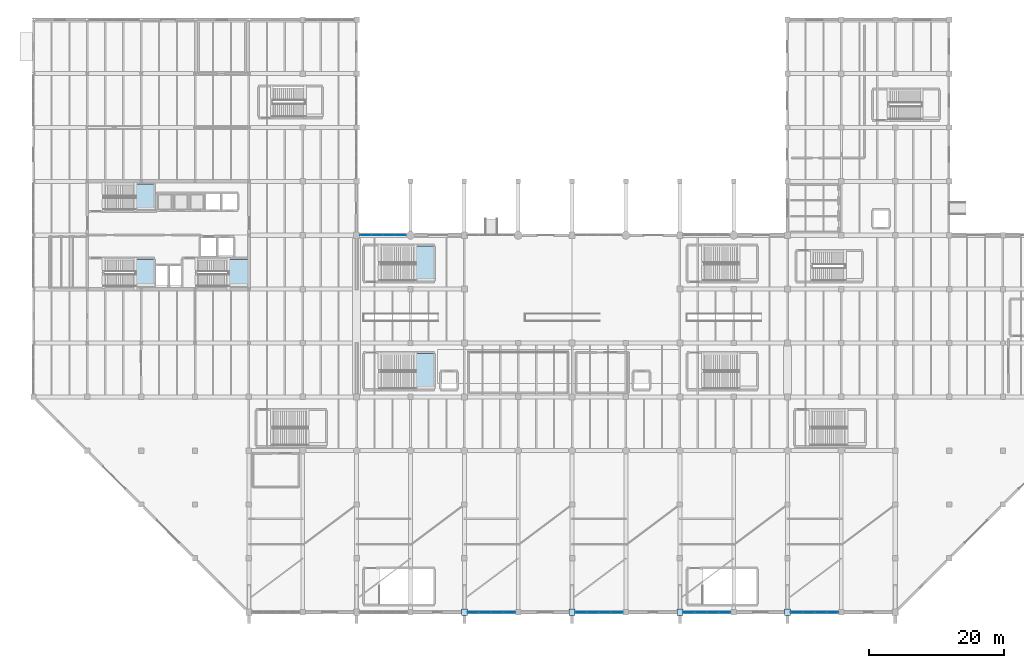
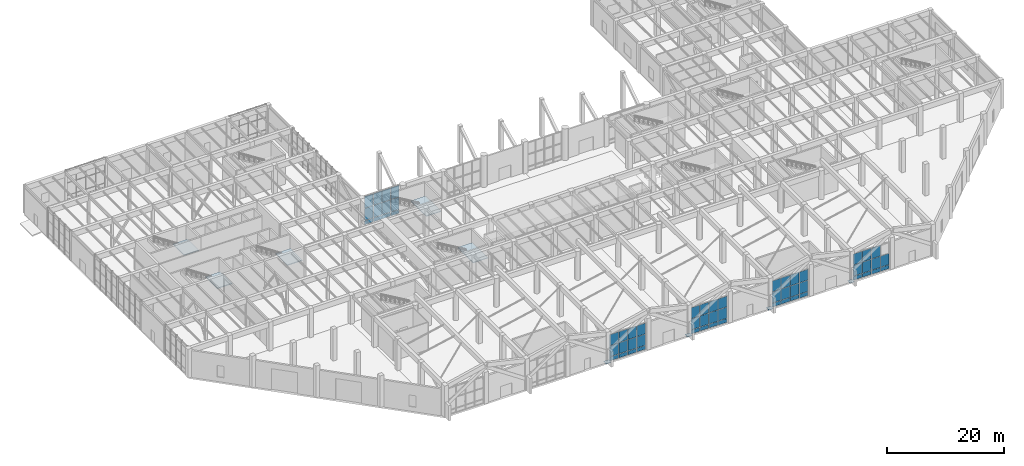
# One storey, part 27 of 51: 63 plates, 5 slabs, 10 elements without a shape of their own.
"""IFC4 building model written with IfcOpenShell, lengths in metres."""

from ifc_helpers import new_model, si_unit, direction, frame, origin, origin_2d, place, context, subcontext, project, spatial, polyline, rectangle, outline, extrude, material, layer, layer_set, type_object, element, aggregate, save


model = new_model("IFC4")

# Units and contexts
model_context = context("Model", 3, precision=1e-05, world=origin(), true_north=direction((0.0, 1.0)))
body_context = subcontext(model_context, "Body", "Model", "MODEL_VIEW")
ifc_project = project(units=[si_unit("LENGTHUNIT", "METRE"), si_unit("AREAUNIT", "SQUARE_METRE"), si_unit("VOLUMEUNIT", "CUBIC_METRE"), si_unit("PLANEANGLEUNIT", "RADIAN"), si_unit("MASSUNIT", "GRAM", prefix="KILO")], contexts=[model_context])

# Site, building, storey
site_placement = place(None, origin())
site = spatial("IfcSite", under=ifc_project, at=site_placement, CompositionType="ELEMENT")
building_placement = place(site_placement, origin())
building = spatial("IfcBuilding", under=site, at=building_placement, Name="Varnela Railside Interchange", CompositionType="ELEMENT")
storey_placement = place(building_placement, origin())
storey = spatial("IfcBuildingStorey", under=building, at=storey_placement, Name="L00", CompositionType="ELEMENT", Elevation=0.0)

# Curtain wall, plates
ifc_material_1 = material(Name="Aluminium 6063-T6", Category="aluminium")
ifc_layer_1 = layer(ifc_material_1, 0.035888671875)
ifc_layer_set_1 = layer_set([ifc_layer_1], Name="Aluminium 6063-T6")
curtain_wall_type = type_object("IfcCurtainWallType", Name="Arrival Forecourt Portal Curtain Wall CW-04", PredefinedType="USERDEFINED", material=ifc_layer_set_1)
curtain_wall_1_placement = place(storey_placement, origin())
curtain_wall_1 = element("IfcCurtainWall", 1, at=curtain_wall_1_placement, inside=storey, type_object=curtain_wall_type, Name="Curtain Wall CW-04 (L00) (CW-006)", ObjectType="CURTAIN WALL", PredefinedType="USERDEFINED")
ifc_material_2 = material(Name="Glass laminated double", Category="glass")
ifc_layer_2 = layer(ifc_material_2, 0.02001953125)
ifc_layer_set_2 = layer_set([ifc_layer_2], Name="Glass laminated double")
plate_type_1 = type_object("IfcPlateType", Name="Low-E Vision Glazing Panel GL-01", PredefinedType="CURTAIN_PANEL", material=ifc_layer_set_2)
plate_1_placement = place(storey_placement, frame((53.33740234375, 62.0, 0.074951171875), z_axis=(0.0, 0.0, 1.0), x_axis=(1.0, 0.0, 0.0)))
plate_1 = element("IfcPlate", 2, at=plate_1_placement, type_object=plate_type_1, Name="CW-04 panel 1.1", PredefinedType="CURTAIN_PANEL", context=body_context, shape_type="SweptSolid", body=[
    extrude(rectangle(XDim=1.625, YDim=0.02001953125, at=origin_2d()), origin(), (0.0, 0.0, 1.0), 0.78759765625),
])
plate_2_placement = place(storey_placement, frame((53.33740234375, 62.0, 0.9375), z_axis=(0.0, 0.0, 1.0), x_axis=(1.0, 0.0, 0.0)))
plate_2 = element("IfcPlate", 3, at=plate_2_placement, type_object=plate_type_1, Name="CW-04 panel 1.2", PredefinedType="CURTAIN_PANEL", context=body_context, shape_type="SweptSolid", body=[
    extrude(rectangle(XDim=1.625, YDim=0.02001953125, at=origin_2d()), origin(), (0.0, 0.0, 1.0), 2.5166015625),
])
plate_3_placement = place(storey_placement, frame((53.33740234375, 62.0, 3.529052734375), z_axis=(0.0, 0.0, 1.0), x_axis=(1.0, 0.0, 0.0)))
plate_3 = element("IfcPlate", 4, at=plate_3_placement, type_object=plate_type_1, Name="CW-04 panel 1.3", PredefinedType="CURTAIN_PANEL", context=body_context, shape_type="SweptSolid", body=[
    extrude(rectangle(XDim=1.625, YDim=0.02001953125, at=origin_2d()), origin(), (0.0, 0.0, 1.0), 2.416015625),
])
plate_4_placement = place(storey_placement, frame((55.05615234375, 62.0, 0.074951171875), z_axis=(0.0, 0.0, 1.0), x_axis=(1.0, 0.0, 0.0)))
plate_4 = element("IfcPlate", 5, at=plate_4_placement, type_object=plate_type_1, Name="CW-04 panel 2.1", PredefinedType="CURTAIN_PANEL", context=body_context, shape_type="SweptSolid", body=[
    extrude(rectangle(XDim=1.66259765625, YDim=0.02001953125, at=origin_2d()), origin(), (0.0, 0.0, 1.0), 0.78759765625),
])
plate_5_placement = place(storey_placement, frame((55.05615234375, 62.0, 0.9375), z_axis=(0.0, 0.0, 1.0), x_axis=(1.0, 0.0, 0.0)))
plate_5 = element("IfcPlate", 6, at=plate_5_placement, type_object=plate_type_1, Name="CW-04 panel 2.2", PredefinedType="CURTAIN_PANEL", context=body_context, shape_type="SweptSolid", body=[
    extrude(rectangle(XDim=1.66259765625, YDim=0.02001953125, at=origin_2d()), origin(), (0.0, 0.0, 1.0), 2.5166015625),
])
plate_6_placement = place(storey_placement, frame((55.05615234375, 62.0, 3.529052734375), z_axis=(0.0, 0.0, 1.0), x_axis=(1.0, 0.0, 0.0)))
plate_6 = element("IfcPlate", 7, at=plate_6_placement, type_object=plate_type_1, Name="CW-04 panel 2.3", PredefinedType="CURTAIN_PANEL", context=body_context, shape_type="SweptSolid", body=[
    extrude(rectangle(XDim=1.66259765625, YDim=0.02001953125, at=origin_2d()), origin(), (0.0, 0.0, 1.0), 2.416015625),
])
plate_7_placement = place(storey_placement, frame((56.793701171875, 62.0, 0.074951171875), z_axis=(0.0, 0.0, 1.0), x_axis=(1.0, 0.0, 0.0)))
plate_7 = element("IfcPlate", 8, at=plate_7_placement, type_object=plate_type_1, Name="CW-04 panel 3.1", PredefinedType="CURTAIN_PANEL", context=body_context, shape_type="SweptSolid", body=[
    extrude(rectangle(XDim=1.66259765625, YDim=0.02001953125, at=origin_2d()), origin(), (0.0, 0.0, 1.0), 0.78759765625),
])
plate_8_placement = place(storey_placement, frame((56.793701171875, 62.0, 0.9375), z_axis=(0.0, 0.0, 1.0), x_axis=(1.0, 0.0, 0.0)))
plate_8 = element("IfcPlate", 9, at=plate_8_placement, type_object=plate_type_1, Name="CW-04 panel 3.2", PredefinedType="CURTAIN_PANEL", context=body_context, shape_type="SweptSolid", body=[
    extrude(rectangle(XDim=1.66259765625, YDim=0.02001953125, at=origin_2d()), origin(), (0.0, 0.0, 1.0), 2.5166015625),
])
plate_9_placement = place(storey_placement, frame((56.793701171875, 62.0, 3.529052734375), z_axis=(0.0, 0.0, 1.0), x_axis=(1.0, 0.0, 0.0)))
plate_9 = element("IfcPlate", 10, at=plate_9_placement, type_object=plate_type_1, Name="CW-04 panel 3.3", PredefinedType="CURTAIN_PANEL", context=body_context, shape_type="SweptSolid", body=[
    extrude(rectangle(XDim=1.66259765625, YDim=0.02001953125, at=origin_2d()), origin(), (0.0, 0.0, 1.0), 2.416015625),
])
plate_10_placement = place(storey_placement, frame((58.512451171875, 62.0, 0.074951171875), z_axis=(0.0, 0.0, 1.0), x_axis=(1.0, 0.0, 0.0)))
plate_10 = element("IfcPlate", 11, at=plate_10_placement, type_object=plate_type_1, Name="CW-04 panel 4.1", PredefinedType="CURTAIN_PANEL", context=body_context, shape_type="SweptSolid", body=[
    extrude(rectangle(XDim=1.625, YDim=0.02001953125, at=origin_2d()), origin(), (0.0, 0.0, 1.0), 0.78759765625),
])
plate_11_placement = place(storey_placement, frame((58.512451171875, 62.0, 0.9375), z_axis=(0.0, 0.0, 1.0), x_axis=(1.0, 0.0, 0.0)))
plate_11 = element("IfcPlate", 12, at=plate_11_placement, type_object=plate_type_1, Name="CW-04 panel 4.2", PredefinedType="CURTAIN_PANEL", context=body_context, shape_type="SweptSolid", body=[
    extrude(rectangle(XDim=1.625, YDim=0.02001953125, at=origin_2d()), origin(), (0.0, 0.0, 1.0), 2.5166015625),
])
plate_12_placement = place(storey_placement, frame((58.512451171875, 62.0, 3.529052734375), z_axis=(0.0, 0.0, 1.0), x_axis=(1.0, 0.0, 0.0)))
plate_12 = element("IfcPlate", 13, at=plate_12_placement, type_object=plate_type_1, Name="CW-04 panel 4.3", PredefinedType="CURTAIN_PANEL", context=body_context, shape_type="SweptSolid", body=[
    extrude(rectangle(XDim=1.625, YDim=0.02001953125, at=origin_2d()), origin(), (0.0, 0.0, 1.0), 2.416015625),
])
aggregate(curtain_wall_1, [plate_1, plate_2, plate_3, plate_4, plate_5, plate_6, plate_7, plate_8, plate_9, plate_10, plate_11, plate_12])

curtain_wall_2_placement = place(storey_placement, origin())
curtain_wall_2 = element("IfcCurtainWall", 14, at=curtain_wall_2_placement, inside=storey, type_object=curtain_wall_type, Name="Curtain Wall CW-04 (L00) (CW-011)", ObjectType="CURTAIN WALL", PredefinedType="USERDEFINED")
ifc_layer_3 = layer(ifc_material_2, 0.070068359375)
ifc_layer_set_3 = layer_set([ifc_layer_3], Name="Glass laminated double")
plate_type_2 = type_object("IfcPlateType", Name="Solar Control Spandrel Panel GL-02", PredefinedType="CURTAIN_PANEL", material=ifc_layer_set_3)
plate_13_placement = place(storey_placement, frame((122.68115234375, 6.0, 0.074951171875), z_axis=(0.0, 0.0, 1.0), x_axis=(-1.0, 0.0, 0.0)))
plate_13 = element("IfcPlate", 15, at=plate_13_placement, type_object=plate_type_2, Name="CW-04 panel 1.1", PredefinedType="CURTAIN_PANEL", context=body_context, shape_type="SweptSolid", body=[
    extrude(rectangle(XDim=1.6875, YDim=0.070068359375, at=origin_2d()), origin(), (0.0, 0.0, 1.0), 0.78759765625),
])
plate_14_placement = place(storey_placement, frame((122.68115234375, 6.0, 0.9375), z_axis=(0.0, 0.0, 1.0), x_axis=(-1.0, 0.0, 0.0)))
plate_14 = element("IfcPlate", 16, at=plate_14_placement, type_object=plate_type_2, Name="CW-04 panel 1.2", PredefinedType="CURTAIN_PANEL", context=body_context, shape_type="SweptSolid", body=[
    extrude(rectangle(XDim=1.6875, YDim=0.070068359375, at=origin_2d()), origin(), (0.0, 0.0, 1.0), 2.27294921875),
])
plate_15_placement = place(storey_placement, frame((120.89990234375, 6.0, 0.074951171875), z_axis=(0.0, 0.0, 1.0), x_axis=(-1.0, 0.0, 0.0)))
plate_15 = element("IfcPlate", 17, at=plate_15_placement, type_object=plate_type_2, Name="CW-04 panel 2.1", PredefinedType="CURTAIN_PANEL", context=body_context, shape_type="SweptSolid", body=[
    extrude(rectangle(XDim=1.72509765625, YDim=0.070068359375, at=origin_2d()), origin(), (0.0, 0.0, 1.0), 0.78759765625),
])
plate_16_placement = place(storey_placement, frame((120.89990234375, 6.0, 0.9375), z_axis=(0.0, 0.0, 1.0), x_axis=(-1.0, 0.0, 0.0)))
plate_16 = element("IfcPlate", 18, at=plate_16_placement, type_object=plate_type_2, Name="CW-04 panel 2.2", PredefinedType="CURTAIN_PANEL", context=body_context, shape_type="SweptSolid", body=[
    extrude(rectangle(XDim=1.72509765625, YDim=0.070068359375, at=origin_2d()), origin(), (0.0, 0.0, 1.0), 2.27294921875),
])
plate_17_placement = place(storey_placement, frame((120.89990234375, 6.0, 3.28564453125), z_axis=(0.0, 0.0, 1.0), x_axis=(-1.0, 0.0, 0.0)))
plate_17 = element("IfcPlate", 19, at=plate_17_placement, type_object=plate_type_2, Name="CW-04 panel 2.3", PredefinedType="CURTAIN_PANEL", context=body_context, shape_type="SweptSolid", body=[
    extrude(rectangle(XDim=1.72509765625, YDim=0.070068359375, at=origin_2d()), origin(), (0.0, 0.0, 1.0), 2.239501953125),
])
plate_18_placement = place(storey_placement, frame((119.10009765625, 6.0, 0.074951171875), z_axis=(0.0, 0.0, 1.0), x_axis=(-1.0, 0.0, 0.0)))
plate_18 = element("IfcPlate", 20, at=plate_18_placement, type_object=plate_type_2, Name="CW-04 panel 3.1", PredefinedType="CURTAIN_PANEL", context=body_context, shape_type="SweptSolid", body=[
    extrude(rectangle(XDim=1.72509765625, YDim=0.070068359375, at=origin_2d()), origin(), (0.0, 0.0, 1.0), 0.78759765625),
])
plate_19_placement = place(storey_placement, frame((119.10009765625, 6.0, 0.9375), z_axis=(0.0, 0.0, 1.0), x_axis=(-1.0, 0.0, 0.0)))
plate_19 = element("IfcPlate", 21, at=plate_19_placement, type_object=plate_type_2, Name="CW-04 panel 3.2", PredefinedType="CURTAIN_PANEL", context=body_context, shape_type="SweptSolid", body=[
    extrude(rectangle(XDim=1.72509765625, YDim=0.070068359375, at=origin_2d()), origin(), (0.0, 0.0, 1.0), 2.27294921875),
])
plate_20_placement = place(storey_placement, frame((119.10009765625, 6.0, 3.28564453125), z_axis=(0.0, 0.0, 1.0), x_axis=(-1.0, 0.0, 0.0)))
plate_20 = element("IfcPlate", 22, at=plate_20_placement, type_object=plate_type_2, Name="CW-04 panel 3.3", PredefinedType="CURTAIN_PANEL", context=body_context, shape_type="SweptSolid", body=[
    extrude(rectangle(XDim=1.72509765625, YDim=0.070068359375, at=origin_2d()), origin(), (0.0, 0.0, 1.0), 2.239501953125),
])
plate_21_placement = place(storey_placement, frame((117.31884765625, 6.0, 0.074951171875), z_axis=(0.0, 0.0, 1.0), x_axis=(-1.0, 0.0, 0.0)))
plate_21 = element("IfcPlate", 23, at=plate_21_placement, type_object=plate_type_2, Name="CW-04 panel 4.1", PredefinedType="CURTAIN_PANEL", context=body_context, shape_type="SweptSolid", body=[
    extrude(rectangle(XDim=1.6875, YDim=0.070068359375, at=origin_2d()), origin(), (0.0, 0.0, 1.0), 0.78759765625),
])
plate_22_placement = place(storey_placement, frame((117.31884765625, 6.0, 0.9375), z_axis=(0.0, 0.0, 1.0), x_axis=(-1.0, 0.0, 0.0)))
plate_22 = element("IfcPlate", 24, at=plate_22_placement, type_object=plate_type_2, Name="CW-04 panel 4.2", PredefinedType="CURTAIN_PANEL", context=body_context, shape_type="SweptSolid", body=[
    extrude(rectangle(XDim=1.6875, YDim=0.070068359375, at=origin_2d()), origin(), (0.0, 0.0, 1.0), 2.27294921875),
])
plate_23_placement = place(storey_placement, frame((117.31884765625, 6.0, 3.28564453125), z_axis=(0.0, 0.0, 1.0), x_axis=(-1.0, 0.0, 0.0)))
plate_23 = element("IfcPlate", 25, at=plate_23_placement, type_object=plate_type_2, Name="CW-04 panel 4.3", PredefinedType="CURTAIN_PANEL", context=body_context, shape_type="SweptSolid", body=[
    extrude(rectangle(XDim=1.6875, YDim=0.070068359375, at=origin_2d()), origin(), (0.0, 0.0, 1.0), 2.239501953125),
])
aggregate(curtain_wall_2, [plate_13, plate_14, plate_15, plate_16, plate_17, plate_18, plate_19, plate_20, plate_21, plate_22, plate_23])

curtain_wall_3_placement = place(storey_placement, origin())
curtain_wall_3 = element("IfcCurtainWall", 26, at=curtain_wall_3_placement, inside=storey, type_object=curtain_wall_type, Name="Curtain Wall CW-04 (L00) (CW-012)", ObjectType="CURTAIN WALL", PredefinedType="USERDEFINED")
plate_24_placement = place(storey_placement, frame((106.68115234375, 6.0, 0.074951171875), z_axis=(0.0, 0.0, 1.0), x_axis=(-1.0, 0.0, 0.0)))
plate_24 = element("IfcPlate", 27, at=plate_24_placement, type_object=plate_type_2, Name="CW-04 panel 1.1", PredefinedType="CURTAIN_PANEL", context=body_context, shape_type="SweptSolid", body=[
    extrude(rectangle(XDim=1.6875, YDim=0.070068359375, at=origin_2d()), origin(), (0.0, 0.0, 1.0), 0.78759765625),
])
plate_25_placement = place(storey_placement, frame((106.68115234375, 6.0, 0.9375), z_axis=(0.0, 0.0, 1.0), x_axis=(-1.0, 0.0, 0.0)))
plate_25 = element("IfcPlate", 28, at=plate_25_placement, type_object=plate_type_2, Name="CW-04 panel 1.2", PredefinedType="CURTAIN_PANEL", context=body_context, shape_type="SweptSolid", body=[
    extrude(rectangle(XDim=1.6875, YDim=0.070068359375, at=origin_2d()), origin(), (0.0, 0.0, 1.0), 2.27294921875),
])
plate_26_placement = place(storey_placement, frame((106.68115234375, 6.0, 3.28564453125), z_axis=(0.0, 0.0, 1.0), x_axis=(-1.0, 0.0, 0.0)))
plate_26 = element("IfcPlate", 29, at=plate_26_placement, type_object=plate_type_2, Name="CW-04 panel 1.3", PredefinedType="CURTAIN_PANEL", context=body_context, shape_type="SweptSolid", body=[
    extrude(rectangle(XDim=1.6875, YDim=0.070068359375, at=origin_2d()), origin(), (0.0, 0.0, 1.0), 2.239501953125),
])
plate_27_placement = place(storey_placement, frame((104.89990234375, 6.0, 0.074951171875), z_axis=(0.0, 0.0, 1.0), x_axis=(-1.0, 0.0, 0.0)))
plate_27 = element("IfcPlate", 30, at=plate_27_placement, type_object=plate_type_2, Name="CW-04 panel 2.1", PredefinedType="CURTAIN_PANEL", context=body_context, shape_type="SweptSolid", body=[
    extrude(rectangle(XDim=1.72509765625, YDim=0.070068359375, at=origin_2d()), origin(), (0.0, 0.0, 1.0), 0.78759765625),
])
plate_28_placement = place(storey_placement, frame((104.89990234375, 6.0, 0.9375), z_axis=(0.0, 0.0, 1.0), x_axis=(-1.0, 0.0, 0.0)))
plate_28 = element("IfcPlate", 31, at=plate_28_placement, type_object=plate_type_2, Name="CW-04 panel 2.2", PredefinedType="CURTAIN_PANEL", context=body_context, shape_type="SweptSolid", body=[
    extrude(rectangle(XDim=1.72509765625, YDim=0.070068359375, at=origin_2d()), origin(), (0.0, 0.0, 1.0), 2.27294921875),
])
plate_29_placement = place(storey_placement, frame((104.89990234375, 6.0, 3.28564453125), z_axis=(0.0, 0.0, 1.0), x_axis=(-1.0, 0.0, 0.0)))
plate_29 = element("IfcPlate", 32, at=plate_29_placement, type_object=plate_type_2, Name="CW-04 panel 2.3", PredefinedType="CURTAIN_PANEL", context=body_context, shape_type="SweptSolid", body=[
    extrude(rectangle(XDim=1.72509765625, YDim=0.070068359375, at=origin_2d()), origin(), (0.0, 0.0, 1.0), 2.239501953125),
])
plate_30_placement = place(storey_placement, frame((103.10009765625, 6.0, 0.074951171875), z_axis=(0.0, 0.0, 1.0), x_axis=(-1.0, 0.0, 0.0)))
plate_30 = element("IfcPlate", 33, at=plate_30_placement, type_object=plate_type_2, Name="CW-04 panel 3.1", PredefinedType="CURTAIN_PANEL", context=body_context, shape_type="SweptSolid", body=[
    extrude(rectangle(XDim=1.72509765625, YDim=0.070068359375, at=origin_2d()), origin(), (0.0, 0.0, 1.0), 0.78759765625),
])
plate_31_placement = place(storey_placement, frame((103.10009765625, 6.0, 0.9375), z_axis=(0.0, 0.0, 1.0), x_axis=(-1.0, 0.0, 0.0)))
plate_31 = element("IfcPlate", 34, at=plate_31_placement, type_object=plate_type_2, Name="CW-04 panel 3.2", PredefinedType="CURTAIN_PANEL", context=body_context, shape_type="SweptSolid", body=[
    extrude(rectangle(XDim=1.72509765625, YDim=0.070068359375, at=origin_2d()), origin(), (0.0, 0.0, 1.0), 2.27294921875),
])
plate_32_placement = place(storey_placement, frame((103.10009765625, 6.0, 3.28564453125), z_axis=(0.0, 0.0, 1.0), x_axis=(-1.0, 0.0, 0.0)))
plate_32 = element("IfcPlate", 35, at=plate_32_placement, type_object=plate_type_2, Name="CW-04 panel 3.3", PredefinedType="CURTAIN_PANEL", context=body_context, shape_type="SweptSolid", body=[
    extrude(rectangle(XDim=1.72509765625, YDim=0.070068359375, at=origin_2d()), origin(), (0.0, 0.0, 1.0), 2.239501953125),
])
plate_33_placement = place(storey_placement, frame((101.31884765625, 6.0, 0.074951171875), z_axis=(0.0, 0.0, 1.0), x_axis=(-1.0, 0.0, 0.0)))
plate_33 = element("IfcPlate", 36, at=plate_33_placement, type_object=plate_type_2, Name="CW-04 panel 4.1", PredefinedType="CURTAIN_PANEL", context=body_context, shape_type="SweptSolid", body=[
    extrude(rectangle(XDim=1.6875, YDim=0.070068359375, at=origin_2d()), origin(), (0.0, 0.0, 1.0), 0.78759765625),
])
plate_34_placement = place(storey_placement, frame((101.31884765625, 6.0, 0.9375), z_axis=(0.0, 0.0, 1.0), x_axis=(-1.0, 0.0, 0.0)))
plate_34 = element("IfcPlate", 37, at=plate_34_placement, type_object=plate_type_2, Name="CW-04 panel 4.2", PredefinedType="CURTAIN_PANEL", context=body_context, shape_type="SweptSolid", body=[
    extrude(rectangle(XDim=1.6875, YDim=0.070068359375, at=origin_2d()), origin(), (0.0, 0.0, 1.0), 2.27294921875),
])
plate_35_placement = place(storey_placement, frame((101.31884765625, 6.0, 3.28564453125), z_axis=(0.0, 0.0, 1.0), x_axis=(-1.0, 0.0, 0.0)))
plate_35 = element("IfcPlate", 38, at=plate_35_placement, type_object=plate_type_2, Name="CW-04 panel 4.3", PredefinedType="CURTAIN_PANEL", context=body_context, shape_type="SweptSolid", body=[
    extrude(rectangle(XDim=1.6875, YDim=0.070068359375, at=origin_2d()), origin(), (0.0, 0.0, 1.0), 2.239501953125),
])
aggregate(curtain_wall_3, [plate_24, plate_25, plate_26, plate_27, plate_28, plate_29, plate_30, plate_31, plate_32, plate_33, plate_34, plate_35])

curtain_wall_4_placement = place(storey_placement, origin())
curtain_wall_4 = element("IfcCurtainWall", 39, at=curtain_wall_4_placement, inside=storey, type_object=curtain_wall_type, Name="Curtain Wall CW-04 (L00) (CW-013)", ObjectType="CURTAIN WALL", PredefinedType="USERDEFINED")
plate_36_placement = place(storey_placement, frame((90.68115234375, 6.0, 0.074951171875), z_axis=(0.0, 0.0, 1.0), x_axis=(-1.0, 0.0, 0.0)))
plate_36 = element("IfcPlate", 40, at=plate_36_placement, type_object=plate_type_2, Name="CW-04 panel 1.1", PredefinedType="CURTAIN_PANEL", context=body_context, shape_type="SweptSolid", body=[
    extrude(rectangle(XDim=1.6875, YDim=0.070068359375, at=origin_2d()), origin(), (0.0, 0.0, 1.0), 0.78759765625),
])
plate_37_placement = place(storey_placement, frame((90.68115234375, 6.0, 0.9375), z_axis=(0.0, 0.0, 1.0), x_axis=(-1.0, 0.0, 0.0)))
plate_37 = element("IfcPlate", 41, at=plate_37_placement, type_object=plate_type_2, Name="CW-04 panel 1.2", PredefinedType="CURTAIN_PANEL", context=body_context, shape_type="SweptSolid", body=[
    extrude(rectangle(XDim=1.6875, YDim=0.070068359375, at=origin_2d()), origin(), (0.0, 0.0, 1.0), 2.27294921875),
])
plate_38_placement = place(storey_placement, frame((90.68115234375, 6.0, 3.28564453125), z_axis=(0.0, 0.0, 1.0), x_axis=(-1.0, 0.0, 0.0)))
plate_38 = element("IfcPlate", 42, at=plate_38_placement, type_object=plate_type_2, Name="CW-04 panel 1.3", PredefinedType="CURTAIN_PANEL", context=body_context, shape_type="SweptSolid", body=[
    extrude(rectangle(XDim=1.6875, YDim=0.070068359375, at=origin_2d()), origin(), (0.0, 0.0, 1.0), 2.239501953125),
])
plate_39_placement = place(storey_placement, frame((88.89990234375, 6.0, 0.074951171875), z_axis=(0.0, 0.0, 1.0), x_axis=(-1.0, 0.0, 0.0)))
plate_39 = element("IfcPlate", 43, at=plate_39_placement, type_object=plate_type_2, Name="CW-04 panel 2.1", PredefinedType="CURTAIN_PANEL", context=body_context, shape_type="SweptSolid", body=[
    extrude(rectangle(XDim=1.72509765625, YDim=0.070068359375, at=origin_2d()), origin(), (0.0, 0.0, 1.0), 0.78759765625),
])
plate_40_placement = place(storey_placement, frame((88.89990234375, 6.0, 0.9375), z_axis=(0.0, 0.0, 1.0), x_axis=(-1.0, 0.0, 0.0)))
plate_40 = element("IfcPlate", 44, at=plate_40_placement, type_object=plate_type_2, Name="CW-04 panel 2.2", PredefinedType="CURTAIN_PANEL", context=body_context, shape_type="SweptSolid", body=[
    extrude(rectangle(XDim=1.72509765625, YDim=0.070068359375, at=origin_2d()), origin(), (0.0, 0.0, 1.0), 2.27294921875),
])
plate_41_placement = place(storey_placement, frame((88.89990234375, 6.0, 3.28564453125), z_axis=(0.0, 0.0, 1.0), x_axis=(-1.0, 0.0, 0.0)))
plate_41 = element("IfcPlate", 45, at=plate_41_placement, type_object=plate_type_2, Name="CW-04 panel 2.3", PredefinedType="CURTAIN_PANEL", context=body_context, shape_type="SweptSolid", body=[
    extrude(rectangle(XDim=1.72509765625, YDim=0.070068359375, at=origin_2d()), origin(), (0.0, 0.0, 1.0), 2.239501953125),
])
plate_42_placement = place(storey_placement, frame((87.10009765625, 6.0, 0.074951171875), z_axis=(0.0, 0.0, 1.0), x_axis=(-1.0, 0.0, 0.0)))
plate_42 = element("IfcPlate", 46, at=plate_42_placement, type_object=plate_type_2, Name="CW-04 panel 3.1", PredefinedType="CURTAIN_PANEL", context=body_context, shape_type="SweptSolid", body=[
    extrude(rectangle(XDim=1.72509765625, YDim=0.070068359375, at=origin_2d()), origin(), (0.0, 0.0, 1.0), 0.78759765625),
])
plate_43_placement = place(storey_placement, frame((87.10009765625, 6.0, 0.9375), z_axis=(0.0, 0.0, 1.0), x_axis=(-1.0, 0.0, 0.0)))
plate_43 = element("IfcPlate", 47, at=plate_43_placement, type_object=plate_type_2, Name="CW-04 panel 3.2", PredefinedType="CURTAIN_PANEL", context=body_context, shape_type="SweptSolid", body=[
    extrude(rectangle(XDim=1.72509765625, YDim=0.070068359375, at=origin_2d()), origin(), (0.0, 0.0, 1.0), 2.27294921875),
])
plate_44_placement = place(storey_placement, frame((87.10009765625, 6.0, 3.28564453125), z_axis=(0.0, 0.0, 1.0), x_axis=(-1.0, 0.0, 0.0)))
plate_44 = element("IfcPlate", 48, at=plate_44_placement, type_object=plate_type_2, Name="CW-04 panel 3.3", PredefinedType="CURTAIN_PANEL", context=body_context, shape_type="SweptSolid", body=[
    extrude(rectangle(XDim=1.72509765625, YDim=0.070068359375, at=origin_2d()), origin(), (0.0, 0.0, 1.0), 2.239501953125),
])
plate_45_placement = place(storey_placement, frame((85.31884765625, 6.0, 0.074951171875), z_axis=(0.0, 0.0, 1.0), x_axis=(-1.0, 0.0, 0.0)))
plate_45 = element("IfcPlate", 49, at=plate_45_placement, type_object=plate_type_2, Name="CW-04 panel 4.1", PredefinedType="CURTAIN_PANEL", context=body_context, shape_type="SweptSolid", body=[
    extrude(rectangle(XDim=1.6875, YDim=0.070068359375, at=origin_2d()), origin(), (0.0, 0.0, 1.0), 0.78759765625),
])
plate_46_placement = place(storey_placement, frame((85.31884765625, 6.0, 0.9375), z_axis=(0.0, 0.0, 1.0), x_axis=(-1.0, 0.0, 0.0)))
plate_46 = element("IfcPlate", 50, at=plate_46_placement, type_object=plate_type_2, Name="CW-04 panel 4.2", PredefinedType="CURTAIN_PANEL", context=body_context, shape_type="SweptSolid", body=[
    extrude(rectangle(XDim=1.6875, YDim=0.070068359375, at=origin_2d()), origin(), (0.0, 0.0, 1.0), 2.27294921875),
])
plate_47_placement = place(storey_placement, frame((85.31884765625, 6.0, 3.28564453125), z_axis=(0.0, 0.0, 1.0), x_axis=(-1.0, 0.0, 0.0)))
plate_47 = element("IfcPlate", 51, at=plate_47_placement, type_object=plate_type_2, Name="CW-04 panel 4.3", PredefinedType="CURTAIN_PANEL", context=body_context, shape_type="SweptSolid", body=[
    extrude(rectangle(XDim=1.6875, YDim=0.070068359375, at=origin_2d()), origin(), (0.0, 0.0, 1.0), 2.239501953125),
])
aggregate(curtain_wall_4, [plate_36, plate_37, plate_38, plate_39, plate_40, plate_41, plate_42, plate_43, plate_44, plate_45, plate_46, plate_47])

curtain_wall_5_placement = place(storey_placement, origin())
curtain_wall_5 = element("IfcCurtainWall", 52, at=curtain_wall_5_placement, inside=storey, type_object=curtain_wall_type, Name="Curtain Wall CW-04 (L00) (CW-014)", ObjectType="CURTAIN WALL", PredefinedType="USERDEFINED")
plate_48_placement = place(storey_placement, frame((74.68115234375, 6.0, 0.074951171875), z_axis=(0.0, 0.0, 1.0), x_axis=(-1.0, 0.0, 0.0)))
plate_48 = element("IfcPlate", 53, at=plate_48_placement, type_object=plate_type_2, Name="CW-04 panel 1.1", PredefinedType="CURTAIN_PANEL", context=body_context, shape_type="SweptSolid", body=[
    extrude(rectangle(XDim=1.6875, YDim=0.070068359375, at=origin_2d()), origin(), (0.0, 0.0, 1.0), 0.78759765625),
])
plate_49_placement = place(storey_placement, frame((74.68115234375, 6.0, 0.9375), z_axis=(0.0, 0.0, 1.0), x_axis=(-1.0, 0.0, 0.0)))
plate_49 = element("IfcPlate", 54, at=plate_49_placement, type_object=plate_type_2, Name="CW-04 panel 1.2", PredefinedType="CURTAIN_PANEL", context=body_context, shape_type="SweptSolid", body=[
    extrude(rectangle(XDim=1.6875, YDim=0.070068359375, at=origin_2d()), origin(), (0.0, 0.0, 1.0), 2.27294921875),
])
plate_50_placement = place(storey_placement, frame((74.68115234375, 6.0, 3.28564453125), z_axis=(0.0, 0.0, 1.0), x_axis=(-1.0, 0.0, 0.0)))
plate_50 = element("IfcPlate", 55, at=plate_50_placement, type_object=plate_type_2, Name="CW-04 panel 1.3", PredefinedType="CURTAIN_PANEL", context=body_context, shape_type="SweptSolid", body=[
    extrude(rectangle(XDim=1.6875, YDim=0.070068359375, at=origin_2d()), origin(), (0.0, 0.0, 1.0), 2.239501953125),
])
plate_51_placement = place(storey_placement, frame((72.89990234375, 6.0, 0.074951171875), z_axis=(0.0, 0.0, 1.0), x_axis=(-1.0, 0.0, 0.0)))
plate_51 = element("IfcPlate", 56, at=plate_51_placement, type_object=plate_type_2, Name="CW-04 panel 2.1", PredefinedType="CURTAIN_PANEL", context=body_context, shape_type="SweptSolid", body=[
    extrude(rectangle(XDim=1.72509765625, YDim=0.070068359375, at=origin_2d()), origin(), (0.0, 0.0, 1.0), 0.78759765625),
])
plate_52_placement = place(storey_placement, frame((72.89990234375, 6.0, 0.9375), z_axis=(0.0, 0.0, 1.0), x_axis=(-1.0, 0.0, 0.0)))
plate_52 = element("IfcPlate", 57, at=plate_52_placement, type_object=plate_type_2, Name="CW-04 panel 2.2", PredefinedType="CURTAIN_PANEL", context=body_context, shape_type="SweptSolid", body=[
    extrude(rectangle(XDim=1.72509765625, YDim=0.070068359375, at=origin_2d()), origin(), (0.0, 0.0, 1.0), 2.27294921875),
])
plate_53_placement = place(storey_placement, frame((72.89990234375, 6.0, 3.28564453125), z_axis=(0.0, 0.0, 1.0), x_axis=(-1.0, 0.0, 0.0)))
plate_53 = element("IfcPlate", 58, at=plate_53_placement, type_object=plate_type_2, Name="CW-04 panel 2.3", PredefinedType="CURTAIN_PANEL", context=body_context, shape_type="SweptSolid", body=[
    extrude(rectangle(XDim=1.72509765625, YDim=0.070068359375, at=origin_2d()), origin(), (0.0, 0.0, 1.0), 2.239501953125),
])
plate_54_placement = place(storey_placement, frame((71.10009765625, 6.0, 0.074951171875), z_axis=(0.0, 0.0, 1.0), x_axis=(-1.0, 0.0, 0.0)))
plate_54 = element("IfcPlate", 59, at=plate_54_placement, type_object=plate_type_2, Name="CW-04 panel 3.1", PredefinedType="CURTAIN_PANEL", context=body_context, shape_type="SweptSolid", body=[
    extrude(rectangle(XDim=1.72509765625, YDim=0.070068359375, at=origin_2d()), origin(), (0.0, 0.0, 1.0), 0.78759765625),
])
plate_55_placement = place(storey_placement, frame((71.10009765625, 6.0, 0.9375), z_axis=(0.0, 0.0, 1.0), x_axis=(-1.0, 0.0, 0.0)))
plate_55 = element("IfcPlate", 60, at=plate_55_placement, type_object=plate_type_2, Name="CW-04 panel 3.2", PredefinedType="CURTAIN_PANEL", context=body_context, shape_type="SweptSolid", body=[
    extrude(rectangle(XDim=1.72509765625, YDim=0.070068359375, at=origin_2d()), origin(), (0.0, 0.0, 1.0), 2.27294921875),
])
plate_56_placement = place(storey_placement, frame((71.10009765625, 6.0, 3.28564453125), z_axis=(0.0, 0.0, 1.0), x_axis=(-1.0, 0.0, 0.0)))
plate_56 = element("IfcPlate", 61, at=plate_56_placement, type_object=plate_type_2, Name="CW-04 panel 3.3", PredefinedType="CURTAIN_PANEL", context=body_context, shape_type="SweptSolid", body=[
    extrude(rectangle(XDim=1.72509765625, YDim=0.070068359375, at=origin_2d()), origin(), (0.0, 0.0, 1.0), 2.239501953125),
])
plate_57_placement = place(storey_placement, frame((69.31884765625, 6.0, 0.074951171875), z_axis=(0.0, 0.0, 1.0), x_axis=(-1.0, 0.0, 0.0)))
plate_57 = element("IfcPlate", 62, at=plate_57_placement, type_object=plate_type_2, Name="CW-04 panel 4.1", PredefinedType="CURTAIN_PANEL", context=body_context, shape_type="SweptSolid", body=[
    extrude(rectangle(XDim=1.6875, YDim=0.070068359375, at=origin_2d()), origin(), (0.0, 0.0, 1.0), 0.78759765625),
])
plate_58_placement = place(storey_placement, frame((69.31884765625, 6.0, 0.9375), z_axis=(0.0, 0.0, 1.0), x_axis=(-1.0, 0.0, 0.0)))
plate_58 = element("IfcPlate", 63, at=plate_58_placement, type_object=plate_type_2, Name="CW-04 panel 4.2", PredefinedType="CURTAIN_PANEL", context=body_context, shape_type="SweptSolid", body=[
    extrude(rectangle(XDim=1.6875, YDim=0.070068359375, at=origin_2d()), origin(), (0.0, 0.0, 1.0), 2.27294921875),
])
plate_59_placement = place(storey_placement, frame((69.31884765625, 6.0, 3.28564453125), z_axis=(0.0, 0.0, 1.0), x_axis=(-1.0, 0.0, 0.0)))
plate_59 = element("IfcPlate", 64, at=plate_59_placement, type_object=plate_type_2, Name="CW-04 panel 4.3", PredefinedType="CURTAIN_PANEL", context=body_context, shape_type="SweptSolid", body=[
    extrude(rectangle(XDim=1.6875, YDim=0.070068359375, at=origin_2d()), origin(), (0.0, 0.0, 1.0), 2.239501953125),
])
aggregate(curtain_wall_5, [plate_48, plate_49, plate_50, plate_51, plate_52, plate_53, plate_54, plate_55, plate_56, plate_57, plate_58, plate_59])

# Stair, slab
ifc_material_3 = material(Name="Concrete C40", Category="concrete")
stair_type_1 = type_object("IfcStairType", Name="Core Pressurized Stair ST-165", PredefinedType="TWO_STRAIGHT_RUN_STAIR", material=ifc_material_3)
stair_1_placement = place(storey_placement, origin())
stair_1 = element("IfcStair", 65, at=stair_1_placement, inside=storey, type_object=stair_type_1, Name="Stair ST-T1 (L00) (SF-112)", PredefinedType="TWO_STRAIGHT_RUN_STAIR")
ifc_layer_4 = layer(ifc_material_3, 0.159912109375)
ifc_layer_set_4 = layer_set([ifc_layer_4], Name="Concrete C40")
slab_type = type_object("IfcSlabType", Name="Stair Half-Landing Slab SL-LD", PredefinedType="LANDING", material=ifc_layer_set_4)
slab_1_placement = place(storey_placement, frame((0.0, 0.0, 2.989990234375)))
slab_1 = element("IfcSlab", 66, at=slab_1_placement, type_object=slab_type, Name="ST-T1 landing 1 (SL-0073)", PredefinedType="LANDING", context=body_context, shape_type="SweptSolid", body=[
    extrude(outline(polyline([(19.1298828125, 54.39990234375), (22.06005859375, 54.39990234375), (22.06005859375, 58.39990234375), (19.1298828125, 58.39990234375), (19.1298828125, 54.39990234375)])), origin(), (0.0, 0.0, 1.0), 0.159912109375),
])
aggregate(stair_1, [slab_1])

stair_2_placement = place(storey_placement, origin())
stair_2 = element("IfcStair", 67, at=stair_2_placement, inside=storey, type_object=stair_type_1, Name="Stair ST-T2 (L00) (SF-115)", PredefinedType="TWO_STRAIGHT_RUN_STAIR")
slab_2_placement = place(storey_placement, frame((0.0, 0.0, 2.989990234375)))
slab_2 = element("IfcSlab", 68, at=slab_2_placement, type_object=slab_type, Name="ST-T2 landing 1 (SL-0074)", PredefinedType="LANDING", context=body_context, shape_type="SweptSolid", body=[
    extrude(outline(polyline([(32.929931640625, 54.39990234375), (35.860107421875, 54.39990234375), (35.860107421875, 58.39990234375), (32.929931640625, 58.39990234375), (32.929931640625, 54.39990234375)])), origin(), (0.0, 0.0, 1.0), 0.159912109375),
])
aggregate(stair_2, [slab_2])

stair_3_placement = place(storey_placement, origin())
stair_3 = element("IfcStair", 69, at=stair_3_placement, inside=storey, type_object=stair_type_1, Name="Stair ST-T3 (L00) (SF-118)", PredefinedType="TWO_STRAIGHT_RUN_STAIR")
slab_3_placement = place(storey_placement, frame((0.0, 0.0, 2.989990234375)))
slab_3 = element("IfcSlab", 70, at=slab_3_placement, type_object=slab_type, Name="ST-T3 landing 1 (SL-0075)", PredefinedType="LANDING", context=body_context, shape_type="SweptSolid", body=[
    extrude(outline(polyline([(19.1298828125, 65.800048828125), (22.06005859375, 65.800048828125), (22.06005859375, 69.60009765625), (19.1298828125, 69.60009765625), (19.1298828125, 65.800048828125)])), origin(), (0.0, 0.0, 1.0), 0.159912109375),
])
aggregate(stair_3, [slab_3])

stair_type_2 = type_object("IfcStairType", Name="Concourse Public Stair ST-235", PredefinedType="TWO_STRAIGHT_RUN_STAIR", material=ifc_material_3)
stair_4_placement = place(storey_placement, origin())
stair_4 = element("IfcStair", 71, at=stair_4_placement, inside=storey, type_object=stair_type_2, Name="Stair ST-C1 (L00) (SF-085)", PredefinedType="TWO_STRAIGHT_RUN_STAIR")
slab_4_placement = place(storey_placement, frame((0.0, 0.0, 2.989990234375)))
slab_4 = element("IfcSlab", 72, at=slab_4_placement, type_object=slab_type, Name="ST-C1 landing 1 (SL-0064)", PredefinedType="LANDING", context=body_context, shape_type="SweptSolid", body=[
    extrude(outline(polyline([(60.72509765625, 39.199951171875), (63.659912109375, 39.199951171875), (63.659912109375, 44.39990234375), (60.72509765625, 44.39990234375), (60.72509765625, 39.199951171875)])), origin(), (0.0, 0.0, 1.0), 0.159912109375),
])
aggregate(stair_4, [slab_4])

stair_5_placement = place(storey_placement, origin())
stair_5 = element("IfcStair", 73, at=stair_5_placement, inside=storey, type_object=stair_type_2, Name="Stair ST-C3 (L00) (SF-091)", PredefinedType="TWO_STRAIGHT_RUN_STAIR")
slab_5_placement = place(storey_placement, frame((0.0, 0.0, 2.989990234375)))
slab_5 = element("IfcSlab", 74, at=slab_5_placement, type_object=slab_type, Name="ST-C3 landing 1 (SL-0066)", PredefinedType="LANDING", context=body_context, shape_type="SweptSolid", body=[
    extrude(outline(polyline([(60.72509765625, 55.199951171875), (63.659912109375, 55.199951171875), (63.659912109375, 60.39990234375), (60.72509765625, 60.39990234375), (60.72509765625, 55.199951171875)])), origin(), (0.0, 0.0, 1.0), 0.159912109375),
])
aggregate(stair_5, [slab_5])

# Plates
ifc_material_4 = material(Name="Steel AR 350 (350 MPa)", Category="steel")
ifc_layer_5 = layer(ifc_material_4, 0.050048828125)
ifc_layer_set_5 = layer_set([ifc_layer_5], Name="Steel AR 350 (350 MPa)")
plate_type_3 = type_object("IfcPlateType", Name="V-Pier Base Bearing Plate BP-01", PredefinedType="SHEET", material=ifc_layer_set_5)
for number, where, z_axis, x_axis, name in (
    (75, (68.0, 6.0, 0.0), (0.0, 0.0, 1.0), (1.0, 0.0, 0.0), "V-Pier Base Bearing Plate BP-01 (L00) (PL-008)"),
    (76, (84.0, 6.0, 0.0), (0.0, 0.0, 1.0), (1.0, 0.0, 0.0), "V-Pier Base Bearing Plate BP-01 (L00) (PL-009)"),
    (77, (100.0, 6.0, 0.0), (0.0, 0.0, 1.0), (1.0, 0.0, 0.0), "V-Pier Base Bearing Plate BP-01 (L00) (PL-010)"),
    (78, (116.0, 6.0, 0.0), (0.0, 0.0, 1.0), (1.0, 0.0, 0.0), "V-Pier Base Bearing Plate BP-01 (L00) (PL-011)"),
):
    element("IfcPlate", number, at=place(storey_placement, frame(where, z_axis=z_axis, x_axis=x_axis)), inside=storey, type_object=plate_type_3, Name=name, PredefinedType="SHEET", context=body_context, shape_type="SweptSolid", body=[
        extrude(rectangle(XDim=0.89990234375, YDim=0.89990234375, at=origin_2d()), origin(), (0.0, 0.0, 1.0), 0.050048828125),
    ])

save(model, "model.ifc")
